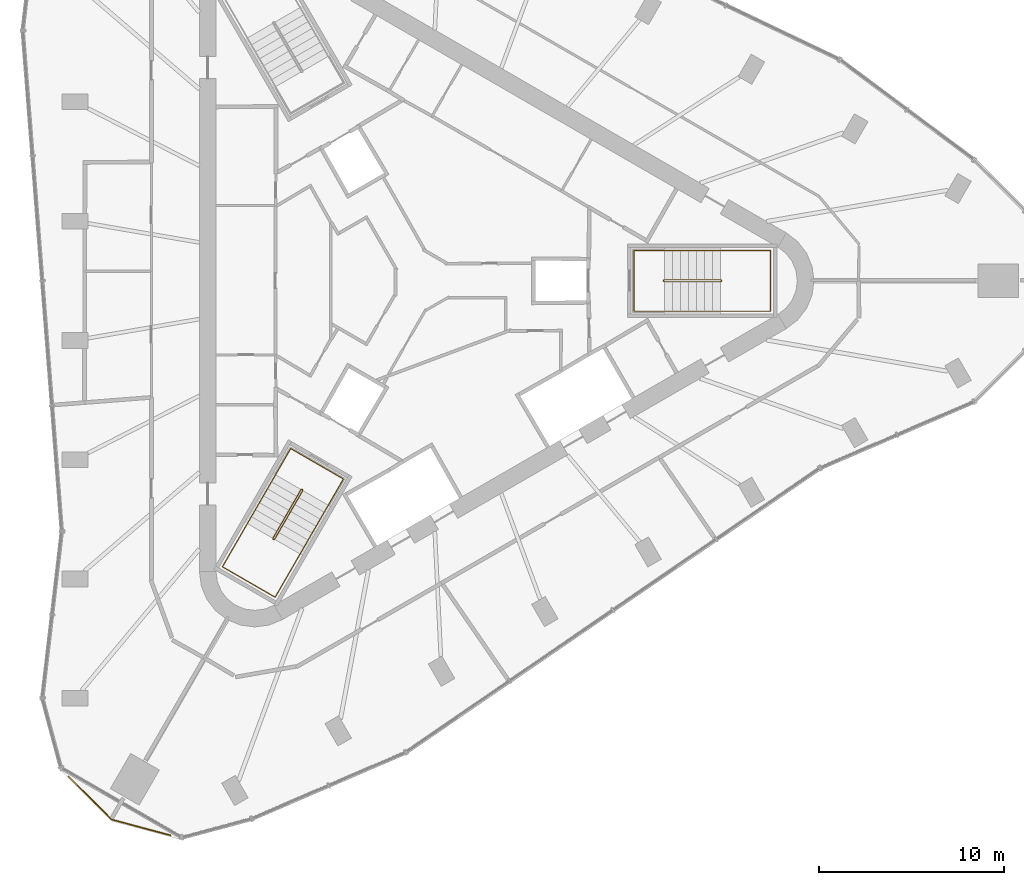
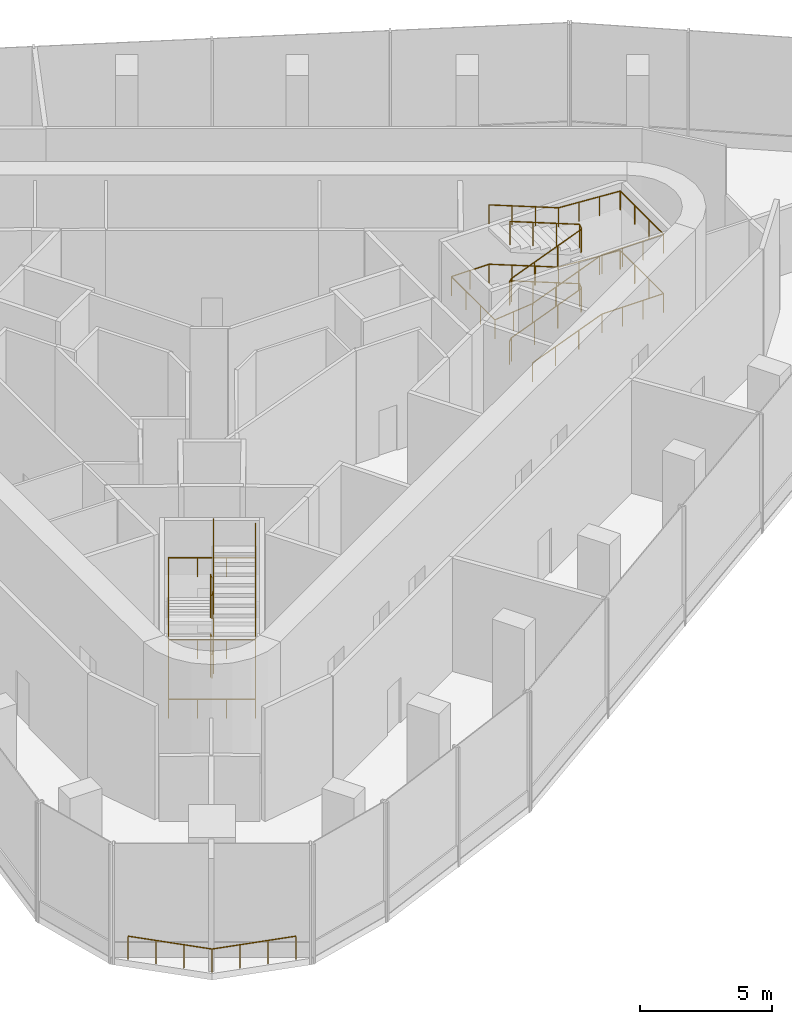
# One storey, part 12 of 13: 5 railings.
"""IFC4 building model written with IfcOpenShell, lengths in metres."""

from ifc_helpers import new_model, si_unit, direction, frame, origin, origin_2d, place, context, subcontext, project, spatial, circle, extrude, material, type_object, element, save


model = new_model("IFC4")

# Units and contexts
model_context = context("Model", 3, precision=1e-05, world=origin(), true_north=direction((0.0, 1.0)))
body_context = subcontext(model_context, "Body", "Model", "MODEL_VIEW")
ifc_project = project(units=[si_unit("LENGTHUNIT", "METRE"), si_unit("AREAUNIT", "SQUARE_METRE"), si_unit("VOLUMEUNIT", "CUBIC_METRE"), si_unit("PLANEANGLEUNIT", "RADIAN"), si_unit("MASSUNIT", "GRAM", prefix="KILO")], contexts=[model_context])

# Site, building, storey
site_placement = place(None, origin())
site = spatial("IfcSite", under=ifc_project, at=site_placement, CompositionType="ELEMENT")
building_placement = place(site_placement, origin())
building = spatial("IfcBuilding", under=site, at=building_placement, Name="Tanit Gate Tower", CompositionType="ELEMENT")
storey_placement = place(building_placement, frame((0.0, 0.0, 404.800048828125)))
storey = spatial("IfcBuildingStorey", under=building, at=storey_placement, Name="L92", CompositionType="ELEMENT", Elevation=404.800048828125)

# Railings
ifc_material_1 = material(Name="Stainless steel", Category="steel")
railing_type_1 = type_object("IfcRailingType", Name="Guard 1100 stainless steel balustrade", PredefinedType="GUARDRAIL", material=ifc_material_1)
railing_1_placement = place(storey_placement, frame((-13.66552734375, -30.05126953125, 0.0)))
element("IfcRailing", 1, at=railing_1_placement, inside=storey, type_object=railing_type_1, Name="Corner ledge guard L92 1", PredefinedType="GUARDRAIL", context=body_context, shape_type="SweptSolid", body=[
    extrude(circle(Radius=0.02392578125, at=origin_2d()), frame((0.0, 0.0, 1.076171875), z_axis=(-0.965927598952, 0.258812429344, 0.0), x_axis=(-0.258812429344, -0.965927598952, 0.0)), (0.0, 0.0, 1.0), 3.303466796875),
    extrude(circle(Radius=0.02392578125, at=origin_2d()), frame((-3.19091796875, 0.85498046875, 1.076171875), z_axis=(-0.707106781187, 0.707106781187, 0.0), x_axis=(-0.707106781187, -0.707106781187, 0.0)), (0.0, 0.0, 1.0), 3.303466796875),
    extrude(circle(Radius=0.02099609375, at=origin_2d()), origin(), (0.0, 0.0, 1.0), 1.052001953125),
    extrude(circle(Radius=0.02099609375, at=origin_2d()), frame((-1.063720703125, 0.284912109375, 0.0)), (0.0, 0.0, 1.0), 1.052001953125),
    extrude(circle(Radius=0.02099609375, at=origin_2d()), frame((-2.127197265625, 0.570068359375, 0.0)), (0.0, 0.0, 1.0), 1.052001953125),
    extrude(circle(Radius=0.02099609375, at=origin_2d()), frame((-3.19091796875, 0.85498046875, 0.0)), (0.0, 0.0, 1.0), 1.052001953125),
    extrude(circle(Radius=0.02099609375, at=origin_2d()), frame((-3.969482421875, 1.633544921875, 0.0)), (0.0, 0.0, 1.0), 1.052001953125),
    extrude(circle(Radius=0.02099609375, at=origin_2d()), frame((-4.748291015625, 2.412353515625, 0.0)), (0.0, 0.0, 1.0), 1.052001953125),
    extrude(circle(Radius=0.02099609375, at=origin_2d()), frame((-5.52685546875, 3.19091796875, 0.0)), (0.0, 0.0, 1.0), 1.052001953125),
])
ifc_material_2 = material(Name="Stainless steel balustrade", Category="steel")
railing_type_2 = type_object("IfcRailingType", Name="INT-STAIR-GUARD", PredefinedType="GUARDRAIL", material=ifc_material_2)
railing_2_placement = place(storey_placement, frame((13.044921875, 0.0048828125, 0.0)))
element("IfcRailing", 2, at=railing_2_placement, inside=storey, type_object=railing_type_2, Name="L92 S1 stair guard 1", PredefinedType="GUARDRAIL", context=body_context, shape_type="SweptSolid", body=[
    extrude(circle(Radius=0.02392578125, at=origin_2d()), frame((0.0, 0.0, 1.076171875), z_axis=(0.0, -1.0, 0.0), x_axis=(1.0, 0.0, 0.0)), (0.0, 0.0, 1.0), 0.009765625),
    extrude(circle(Radius=0.02392578125, at=origin_2d()), frame((0.0, -0.009765625, 1.076171875), z_axis=(0.269255725606, -0.269255725606, 0.92466356501), x_axis=(0.707106781187, 0.707106781187, 0.0)), (0.0, 0.0, 1.0), 0.185791015625),
    extrude(circle(Radius=0.02392578125, at=origin_2d()), frame((0.050048828125, -0.059814453125, 1.248046875), z_axis=(0.930282949324, 0.0, 0.366842792212), x_axis=(0.0, 1.0, 0.0)), (0.0, 0.0, 1.0), 3.27978515625),
    extrude(circle(Radius=0.02392578125, at=origin_2d()), frame((3.10107421875, -0.059814453125, 2.451171875), z_axis=(0.707106781187, 0.707106781187, 0.0), x_axis=(-0.707106781187, 0.707106781187, 0.0)), (0.0, 0.0, 1.0), 0.07080078125),
    extrude(circle(Radius=0.02392578125, at=origin_2d()), frame((3.151123046875, -0.009765625, 2.451171875), z_axis=(0.0, 1.0, 0.0), x_axis=(-1.0, 0.0, 0.0)), (0.0, 0.0, 1.0), 0.009765625),
    extrude(circle(Radius=0.02392578125, at=origin_2d()), frame((3.151123046875, 0.0, 2.451171875), z_axis=(-0.269255725606, 0.269255725606, 0.92466356501), x_axis=(-0.707106781187, -0.707106781187, 0.0)), (0.0, 0.0, 1.0), 0.185791015625),
    extrude(circle(Radius=0.02392578125, at=origin_2d()), frame((3.10107421875, 0.050048828125, 2.623046875), z_axis=(-0.930282949324, 0.0, 0.366842792212), x_axis=(0.0, -1.0, 0.0)), (0.0, 0.0, 1.0), 3.27978515625),
    extrude(circle(Radius=0.02392578125, at=origin_2d()), frame((0.050048828125, 0.050048828125, 3.826171875), z_axis=(-0.707106781187, -0.707106781187, 0.0), x_axis=(0.707106781187, -0.707106781187, 0.0)), (0.0, 0.0, 1.0), 0.07080078125),
    extrude(circle(Radius=0.02392578125, at=origin_2d()), frame((0.0, 0.0, 3.826171875), z_axis=(0.0, -1.0, 0.0), x_axis=(1.0, 0.0, 0.0)), (0.0, 0.0, 1.0), 0.009765625),
    extrude(circle(Radius=0.02392578125, at=origin_2d()), frame((0.0, -0.009765625, 3.826171875), z_axis=(0.269255725606, -0.269255725606, 0.92466356501), x_axis=(0.707106781187, 0.707106781187, 0.0)), (0.0, 0.0, 1.0), 0.185791015625),
    extrude(circle(Radius=0.02392578125, at=origin_2d()), frame((0.050048828125, -0.059814453125, 3.998046875), z_axis=(0.930282949324, 0.0, 0.366842792212), x_axis=(0.0, 1.0, 0.0)), (0.0, 0.0, 1.0), 3.27978515625),
    extrude(circle(Radius=0.02392578125, at=origin_2d()), frame((3.10107421875, -0.059814453125, 5.201171875), z_axis=(0.707106781187, 0.707106781187, 0.0), x_axis=(-0.707106781187, 0.707106781187, 0.0)), (0.0, 0.0, 1.0), 0.07080078125),
    extrude(circle(Radius=0.02392578125, at=origin_2d()), frame((3.151123046875, -0.009765625, 5.201171875), z_axis=(0.0, 1.0, 0.0), x_axis=(-1.0, 0.0, 0.0)), (0.0, 0.0, 1.0), 0.009765625),
    extrude(circle(Radius=0.02392578125, at=origin_2d()), frame((3.151123046875, 0.0, 5.201171875), z_axis=(-0.269255725606, 0.269255725606, 0.92466356501), x_axis=(-0.707106781187, -0.707106781187, 0.0)), (0.0, 0.0, 1.0), 0.185791015625),
    extrude(circle(Radius=0.02392578125, at=origin_2d()), frame((3.10107421875, 0.050048828125, 5.373046875), z_axis=(-0.930282949324, 0.0, 0.366842792212), x_axis=(0.0, -1.0, 0.0)), (0.0, 0.0, 1.0), 3.27978515625),
    extrude(circle(Radius=0.02099609375, at=origin_2d()), origin(), (0.0, 0.0, 1.0), 1.052001953125),
    extrude(circle(Radius=0.02099609375, at=origin_2d()), frame((0.0, -0.009765625, 0.0)), (0.0, 0.0, 1.0), 1.052001953125),
    extrude(circle(Radius=0.02099609375, at=origin_2d()), frame((0.050048828125, -0.059814453125, 0.171875)), (0.0, 0.0, 1.0), 1.052001953125),
    extrude(circle(Radius=0.02099609375, at=origin_2d()), frame((1.067138671875, -0.059814453125, 0.572998046875)), (0.0, 0.0, 1.0), 1.052001953125),
    extrude(circle(Radius=0.02099609375, at=origin_2d()), frame((2.083984375, -0.059814453125, 0.973876953125)), (0.0, 0.0, 1.0), 1.052001953125),
    extrude(circle(Radius=0.02099609375, at=origin_2d()), frame((3.10107421875, -0.059814453125, 1.375)), (0.0, 0.0, 1.0), 1.052001953125),
    extrude(circle(Radius=0.02099609375, at=origin_2d()), frame((3.151123046875, -0.009765625, 1.375)), (0.0, 0.0, 1.0), 1.052001953125),
    extrude(circle(Radius=0.02099609375, at=origin_2d()), frame((3.151123046875, 0.0, 1.375)), (0.0, 0.0, 1.0), 1.052001953125),
    extrude(circle(Radius=0.02099609375, at=origin_2d()), frame((3.10107421875, 0.050048828125, 1.546875)), (0.0, 0.0, 1.0), 1.052001953125),
    extrude(circle(Radius=0.02099609375, at=origin_2d()), frame((2.083984375, 0.050048828125, 1.947998046875)), (0.0, 0.0, 1.0), 1.052001953125),
    extrude(circle(Radius=0.02099609375, at=origin_2d()), frame((1.067138671875, 0.050048828125, 2.348876953125)), (0.0, 0.0, 1.0), 1.052001953125),
    extrude(circle(Radius=0.02099609375, at=origin_2d()), frame((0.050048828125, 0.050048828125, 2.75)), (0.0, 0.0, 1.0), 1.052001953125),
    extrude(circle(Radius=0.02099609375, at=origin_2d()), frame((0.0, 0.0, 2.75)), (0.0, 0.0, 1.0), 1.052001953125),
    extrude(circle(Radius=0.02099609375, at=origin_2d()), frame((0.0, -0.009765625, 2.75)), (0.0, 0.0, 1.0), 1.052001953125),
    extrude(circle(Radius=0.02099609375, at=origin_2d()), frame((0.050048828125, -0.059814453125, 2.921875)), (0.0, 0.0, 1.0), 1.052001953125),
    extrude(circle(Radius=0.02099609375, at=origin_2d()), frame((1.067138671875, -0.059814453125, 3.322998046875)), (0.0, 0.0, 1.0), 1.052001953125),
    extrude(circle(Radius=0.02099609375, at=origin_2d()), frame((2.083984375, -0.059814453125, 3.723876953125)), (0.0, 0.0, 1.0), 1.052001953125),
    extrude(circle(Radius=0.02099609375, at=origin_2d()), frame((3.10107421875, -0.059814453125, 4.125)), (0.0, 0.0, 1.0), 1.052001953125),
    extrude(circle(Radius=0.02099609375, at=origin_2d()), frame((3.151123046875, -0.009765625, 4.125)), (0.0, 0.0, 1.0), 1.052001953125),
    extrude(circle(Radius=0.02099609375, at=origin_2d()), frame((3.151123046875, 0.0, 4.125)), (0.0, 0.0, 1.0), 1.052001953125),
    extrude(circle(Radius=0.02099609375, at=origin_2d()), frame((3.10107421875, 0.050048828125, 4.296875)), (0.0, 0.0, 1.0), 1.052001953125),
    extrude(circle(Radius=0.02099609375, at=origin_2d()), frame((2.083984375, 0.050048828125, 4.697998046875)), (0.0, 0.0, 1.0), 1.052001953125),
    extrude(circle(Radius=0.02099609375, at=origin_2d()), frame((1.067138671875, 0.050048828125, 5.098876953125)), (0.0, 0.0, 1.0), 1.052001953125),
    extrude(circle(Radius=0.02099609375, at=origin_2d()), frame((0.050048828125, 0.050048828125, 5.5)), (0.0, 0.0, 1.0), 1.052001953125),
])
railing_3_placement = place(storey_placement, frame((-6.51806640625, -11.2998046875, 0.0)))
element("IfcRailing", 3, at=railing_3_placement, inside=storey, type_object=railing_type_2, Name="L92 S3 stair guard 1", PredefinedType="GUARDRAIL", context=body_context, shape_type="SweptSolid", body=[
    extrude(circle(Radius=0.02392578125, at=origin_2d()), frame((0.0, 0.0, 1.076171875), z_axis=(-0.874157276122, 0.485642931179, 0.0), x_axis=(-0.485642931179, -0.874157276122, 0.0)), (0.0, 0.0, 1.0), 0.010009765625),
    extrude(circle(Radius=0.02392578125, at=origin_2d()), frame((-0.0087890625, 0.0048828125, 1.076171875), z_axis=(-0.367819126704, -0.097209340629, 0.924802375713), x_axis=(0.255512919477, -0.966805641264, 0.0)), (0.0, 0.0, 1.0), 0.185791015625),
    extrude(circle(Radius=0.02392578125, at=origin_2d()), frame((-0.0771484375, -0.01318359375, 1.248046875), z_axis=(-0.465104481216, -0.805669942413, 0.3668429711), x_axis=(0.866048339477, -0.499960272111, 0.0)), (0.0, 0.0, 1.0), 3.27978515625),
    extrude(circle(Radius=0.02392578125, at=origin_2d()), frame((-1.6025390625, -2.655517578125, 2.451171875), z_axis=(0.258736085224, -0.965948051503, 0.0), x_axis=(0.965948051503, 0.258736085224, 0.0)), (0.0, 0.0, 1.0), 0.07080078125),
    extrude(circle(Radius=0.02392578125, at=origin_2d()), frame((-1.584228515625, -2.723876953125, 2.451171875), z_axis=(0.868243142124, -0.496138938357, 0.0), x_axis=(0.496138938357, 0.868243142124, 0.0)), (0.0, 0.0, 1.0), 0.009765625),
    extrude(circle(Radius=0.02392578125, at=origin_2d()), frame((-1.57568359375, -2.728759765625, 2.451171875), z_axis=(0.367771848671, 0.098510316608, 0.924683505231), x_axis=(-0.258736085224, 0.965948051503, 0.0)), (0.0, 0.0, 1.0), 0.185791015625),
    extrude(circle(Radius=0.02392578125, at=origin_2d()), frame((-1.50732421875, -2.71044921875, 2.623046875), z_axis=(0.465190712783, 0.805615921545, 0.366852269578), x_axis=(-0.865993683553, 0.500054937028, 0.0)), (0.0, 0.0, 1.0), 3.279541015625),
    extrude(circle(Radius=0.02392578125, at=origin_2d()), frame((0.018310546875, -0.068359375, 3.826171875), z_axis=(-0.258736085224, 0.965948051503, 0.0), x_axis=(-0.965948051503, -0.258736085224, 0.0)), (0.0, 0.0, 1.0), 0.07080078125),
    extrude(circle(Radius=0.02392578125, at=origin_2d()), frame((0.0, 0.0, 3.826171875), z_axis=(-0.874157276122, 0.485642931179, 0.0), x_axis=(-0.485642931179, -0.874157276122, 0.0)), (0.0, 0.0, 1.0), 0.010009765625),
    extrude(circle(Radius=0.02392578125, at=origin_2d()), frame((-0.0087890625, 0.0048828125, 3.826171875), z_axis=(-0.367819126704, -0.097209340629, 0.924802375713), x_axis=(0.255512919477, -0.966805641264, 0.0)), (0.0, 0.0, 1.0), 0.185791015625),
    extrude(circle(Radius=0.02392578125, at=origin_2d()), frame((-0.0771484375, -0.01318359375, 3.998046875), z_axis=(-0.465104481216, -0.805669942413, 0.3668429711), x_axis=(0.866048339477, -0.499960272111, 0.0)), (0.0, 0.0, 1.0), 3.27978515625),
    extrude(circle(Radius=0.02392578125, at=origin_2d()), frame((-1.6025390625, -2.655517578125, 5.201171875), z_axis=(0.258736085224, -0.965948051503, 0.0), x_axis=(0.965948051503, 0.258736085224, 0.0)), (0.0, 0.0, 1.0), 0.07080078125),
    extrude(circle(Radius=0.02392578125, at=origin_2d()), frame((-1.584228515625, -2.723876953125, 5.201171875), z_axis=(0.868243142124, -0.496138938357, 0.0), x_axis=(0.496138938357, 0.868243142124, 0.0)), (0.0, 0.0, 1.0), 0.009765625),
    extrude(circle(Radius=0.02392578125, at=origin_2d()), frame((-1.57568359375, -2.728759765625, 5.201171875), z_axis=(0.367771848671, 0.098510316608, 0.924683505231), x_axis=(-0.258736085224, 0.965948051503, 0.0)), (0.0, 0.0, 1.0), 0.185791015625),
    extrude(circle(Radius=0.02392578125, at=origin_2d()), frame((-1.50732421875, -2.71044921875, 5.373046875), z_axis=(0.465190712783, 0.805615921545, 0.366852269578), x_axis=(-0.865993683553, 0.500054937028, 0.0)), (0.0, 0.0, 1.0), 3.279541015625),
    extrude(circle(Radius=0.02099609375, at=origin_2d()), origin(), (0.0, 0.0, 1.0), 1.052001953125),
    extrude(circle(Radius=0.02099609375, at=origin_2d()), frame((-0.0087890625, 0.0048828125, 0.0)), (0.0, 0.0, 1.0), 1.052001953125),
    extrude(circle(Radius=0.02099609375, at=origin_2d()), frame((-0.0771484375, -0.01318359375, 0.171875)), (0.0, 0.0, 1.0), 1.052001953125),
    extrude(circle(Radius=0.02099609375, at=origin_2d()), frame((-0.585693359375, -0.89404296875, 0.572998046875)), (0.0, 0.0, 1.0), 1.052001953125),
    extrude(circle(Radius=0.02099609375, at=origin_2d()), frame((-1.093994140625, -1.774658203125, 0.973876953125)), (0.0, 0.0, 1.0), 1.052001953125),
    extrude(circle(Radius=0.02099609375, at=origin_2d()), frame((-1.6025390625, -2.655517578125, 1.375)), (0.0, 0.0, 1.0), 1.052001953125),
    extrude(circle(Radius=0.02099609375, at=origin_2d()), frame((-1.584228515625, -2.723876953125, 1.375)), (0.0, 0.0, 1.0), 1.052001953125),
    extrude(circle(Radius=0.02099609375, at=origin_2d()), frame((-1.57568359375, -2.728759765625, 1.375)), (0.0, 0.0, 1.0), 1.052001953125),
    extrude(circle(Radius=0.02099609375, at=origin_2d()), frame((-1.50732421875, -2.71044921875, 1.546875)), (0.0, 0.0, 1.0), 1.052001953125),
    extrude(circle(Radius=0.02099609375, at=origin_2d()), frame((-0.998779296875, -1.829833984375, 1.947998046875)), (0.0, 0.0, 1.0), 1.052001953125),
    extrude(circle(Radius=0.02099609375, at=origin_2d()), frame((-0.490234375, -0.948974609375, 2.348876953125)), (0.0, 0.0, 1.0), 1.052001953125),
    extrude(circle(Radius=0.02099609375, at=origin_2d()), frame((0.018310546875, -0.068359375, 2.75)), (0.0, 0.0, 1.0), 1.052001953125),
    extrude(circle(Radius=0.02099609375, at=origin_2d()), frame((0.0, 0.0, 2.75)), (0.0, 0.0, 1.0), 1.052001953125),
    extrude(circle(Radius=0.02099609375, at=origin_2d()), frame((-0.0087890625, 0.0048828125, 2.75)), (0.0, 0.0, 1.0), 1.052001953125),
    extrude(circle(Radius=0.02099609375, at=origin_2d()), frame((-0.0771484375, -0.01318359375, 2.921875)), (0.0, 0.0, 1.0), 1.052001953125),
    extrude(circle(Radius=0.02099609375, at=origin_2d()), frame((-0.585693359375, -0.89404296875, 3.322998046875)), (0.0, 0.0, 1.0), 1.052001953125),
    extrude(circle(Radius=0.02099609375, at=origin_2d()), frame((-1.093994140625, -1.774658203125, 3.723876953125)), (0.0, 0.0, 1.0), 1.052001953125),
    extrude(circle(Radius=0.02099609375, at=origin_2d()), frame((-1.6025390625, -2.655517578125, 4.125)), (0.0, 0.0, 1.0), 1.052001953125),
    extrude(circle(Radius=0.02099609375, at=origin_2d()), frame((-1.584228515625, -2.723876953125, 4.125)), (0.0, 0.0, 1.0), 1.052001953125),
    extrude(circle(Radius=0.02099609375, at=origin_2d()), frame((-1.57568359375, -2.728759765625, 4.125)), (0.0, 0.0, 1.0), 1.052001953125),
    extrude(circle(Radius=0.02099609375, at=origin_2d()), frame((-1.50732421875, -2.71044921875, 4.296875)), (0.0, 0.0, 1.0), 1.052001953125),
    extrude(circle(Radius=0.02099609375, at=origin_2d()), frame((-0.998779296875, -1.829833984375, 4.697998046875)), (0.0, 0.0, 1.0), 1.052001953125),
    extrude(circle(Radius=0.02099609375, at=origin_2d()), frame((-0.490234375, -0.948974609375, 5.098876953125)), (0.0, 0.0, 1.0), 1.052001953125),
    extrude(circle(Radius=0.02099609375, at=origin_2d()), frame((0.018310546875, -0.068359375, 5.5)), (0.0, 0.0, 1.0), 1.052001953125),
])
ifc_material_3 = material(Name="Stainless steel handrail", Category="steel")
railing_type_3 = type_object("IfcRailingType", Name="INT-STAIR-HANDRAIL", PredefinedType="HANDRAIL", material=ifc_material_3)
railing_4_placement = place(storey_placement, frame((13.094970703125, -1.64990234375, 0.171875)))
element("IfcRailing", 4, at=railing_4_placement, inside=storey, type_object=railing_type_3, Name="L92 S1 stair handrail 1", PredefinedType="HANDRAIL", context=body_context, shape_type="SweptSolid", body=[
    extrude(circle(Radius=0.02392578125, at=origin_2d()), frame((0.0, 0.0, 0.8759765625), z_axis=(0.930282949324, 0.0, 0.366842792212), x_axis=(0.0, 1.0, 0.0)), (0.0, 0.0, 1.0), 3.27978515625),
    extrude(circle(Radius=0.02392578125, at=origin_2d()), frame((3.051025390625, 0.0, 2.0791015625), z_axis=(1.0, 0.0, 0.0), x_axis=(0.0, 1.0, 0.0)), (0.0, 0.0, 1.0), 2.7041015625),
    extrude(circle(Radius=0.02392578125, at=origin_2d()), frame((5.755126953125, 0.0, 2.0791015625), z_axis=(0.0, 1.0, 0.0), x_axis=(-1.0, 0.0, 0.0)), (0.0, 0.0, 1.0), 3.2998046875),
    extrude(circle(Radius=0.02392578125, at=origin_2d()), frame((5.755126953125, 3.2998046875, 2.0791015625), z_axis=(-0.99798610904, 0.0, 0.063432847667), x_axis=(0.0, -1.0, 0.0)), (0.0, 0.0, 1.0), 2.70947265625),
    extrude(circle(Radius=0.02392578125, at=origin_2d()), frame((3.051025390625, 3.2998046875, 2.2509765625), z_axis=(-0.930282949324, 0.0, 0.366842792212), x_axis=(0.0, -1.0, 0.0)), (0.0, 0.0, 1.0), 3.27978515625),
    extrude(circle(Radius=0.02392578125, at=origin_2d()), frame((0.0, 3.2998046875, 3.4541015625), z_axis=(-1.0, 0.0, 0.0), x_axis=(0.0, -1.0, 0.0)), (0.0, 0.0, 1.0), 1.64501953125),
    extrude(circle(Radius=0.02392578125, at=origin_2d()), frame((-1.64501953125, 3.2998046875, 3.4541015625), z_axis=(0.0, -1.0, 0.0), x_axis=(1.0, 0.0, 0.0)), (0.0, 0.0, 1.0), 3.2998046875),
    extrude(circle(Radius=0.02392578125, at=origin_2d()), frame((-1.64501953125, 0.0, 3.4541015625), z_axis=(0.994586037459, 0.0, 0.103916380287), x_axis=(0.0, 1.0, 0.0)), (0.0, 0.0, 1.0), 1.654052734375),
    extrude(circle(Radius=0.02392578125, at=origin_2d()), frame((0.0, 0.0, 3.6259765625), z_axis=(0.930282949324, 0.0, 0.366842792212), x_axis=(0.0, 1.0, 0.0)), (0.0, 0.0, 1.0), 3.27978515625),
    extrude(circle(Radius=0.02392578125, at=origin_2d()), frame((3.051025390625, 0.0, 4.8291015625), z_axis=(1.0, 0.0, 0.0), x_axis=(0.0, 1.0, 0.0)), (0.0, 0.0, 1.0), 2.7041015625),
    extrude(circle(Radius=0.02392578125, at=origin_2d()), frame((5.755126953125, 0.0, 4.8291015625), z_axis=(0.0, 1.0, 0.0), x_axis=(-1.0, 0.0, 0.0)), (0.0, 0.0, 1.0), 3.2998046875),
    extrude(circle(Radius=0.02392578125, at=origin_2d()), frame((5.755126953125, 3.2998046875, 4.8291015625), z_axis=(-0.99798610904, 0.0, 0.063432847667), x_axis=(0.0, -1.0, 0.0)), (0.0, 0.0, 1.0), 2.70947265625),
    extrude(circle(Radius=0.02392578125, at=origin_2d()), frame((3.051025390625, 3.2998046875, 5.0009765625), z_axis=(-0.930282949324, 0.0, 0.366842792212), x_axis=(0.0, -1.0, 0.0)), (0.0, 0.0, 1.0), 3.27978515625),
    extrude(circle(Radius=0.02099609375, at=origin_2d()), origin(), (0.0, 0.0, 1.0), 0.851806640625),
    extrude(circle(Radius=0.02099609375, at=origin_2d()), frame((1.01708984375, 0.0, 0.401123046875)), (0.0, 0.0, 1.0), 0.851806640625),
    extrude(circle(Radius=0.02099609375, at=origin_2d()), frame((2.033935546875, 0.0, 0.802001953125)), (0.0, 0.0, 1.0), 0.851806640625),
    extrude(circle(Radius=0.02099609375, at=origin_2d()), frame((3.051025390625, 0.0, 1.203125)), (0.0, 0.0, 1.0), 0.851806640625),
    extrude(circle(Radius=0.02099609375, at=origin_2d()), frame((3.952392578125, 0.0, 1.203125)), (0.0, 0.0, 1.0), 0.851806640625),
    extrude(circle(Radius=0.02099609375, at=origin_2d()), frame((4.853759765625, 0.0, 1.203125)), (0.0, 0.0, 1.0), 0.851806640625),
    extrude(circle(Radius=0.02099609375, at=origin_2d()), frame((5.755126953125, 0.0, 1.203125)), (0.0, 0.0, 1.0), 0.851806640625),
    extrude(circle(Radius=0.02099609375, at=origin_2d()), frame((5.755126953125, 1.099853515625, 1.203125)), (0.0, 0.0, 1.0), 0.851806640625),
    extrude(circle(Radius=0.02099609375, at=origin_2d()), frame((5.755126953125, 2.199951171875, 1.203125)), (0.0, 0.0, 1.0), 0.851806640625),
    extrude(circle(Radius=0.02099609375, at=origin_2d()), frame((5.755126953125, 3.2998046875, 1.203125)), (0.0, 0.0, 1.0), 0.851806640625),
    extrude(circle(Radius=0.02099609375, at=origin_2d()), frame((4.853759765625, 3.2998046875, 1.260498046875)), (0.0, 0.0, 1.0), 0.851806640625),
    extrude(circle(Radius=0.02099609375, at=origin_2d()), frame((3.952392578125, 3.2998046875, 1.317626953125)), (0.0, 0.0, 1.0), 0.851806640625),
    extrude(circle(Radius=0.02099609375, at=origin_2d()), frame((3.051025390625, 3.2998046875, 1.375)), (0.0, 0.0, 1.0), 0.851806640625),
    extrude(circle(Radius=0.02099609375, at=origin_2d()), frame((2.033935546875, 3.2998046875, 1.776123046875)), (0.0, 0.0, 1.0), 0.851806640625),
    extrude(circle(Radius=0.02099609375, at=origin_2d()), frame((1.01708984375, 3.2998046875, 2.177001953125)), (0.0, 0.0, 1.0), 0.851806640625),
    extrude(circle(Radius=0.02099609375, at=origin_2d()), frame((0.0, 3.2998046875, 2.578125)), (0.0, 0.0, 1.0), 0.851806640625),
    extrude(circle(Radius=0.02099609375, at=origin_2d()), frame((-0.822509765625, 3.2998046875, 2.578125)), (0.0, 0.0, 1.0), 0.851806640625),
    extrude(circle(Radius=0.02099609375, at=origin_2d()), frame((-1.64501953125, 3.2998046875, 2.578125)), (0.0, 0.0, 1.0), 0.851806640625),
    extrude(circle(Radius=0.02099609375, at=origin_2d()), frame((-1.64501953125, 2.199951171875, 2.578125)), (0.0, 0.0, 1.0), 0.851806640625),
    extrude(circle(Radius=0.02099609375, at=origin_2d()), frame((-1.64501953125, 1.099853515625, 2.578125)), (0.0, 0.0, 1.0), 0.851806640625),
    extrude(circle(Radius=0.02099609375, at=origin_2d()), frame((-1.64501953125, 0.0, 2.578125)), (0.0, 0.0, 1.0), 0.851806640625),
    extrude(circle(Radius=0.02099609375, at=origin_2d()), frame((-0.822509765625, 0.0, 2.6640625)), (0.0, 0.0, 1.0), 0.851806640625),
    extrude(circle(Radius=0.02099609375, at=origin_2d()), frame((0.0, 0.0, 2.75)), (0.0, 0.0, 1.0), 0.851806640625),
    extrude(circle(Radius=0.02099609375, at=origin_2d()), frame((1.01708984375, 0.0, 3.151123046875)), (0.0, 0.0, 1.0), 0.851806640625),
    extrude(circle(Radius=0.02099609375, at=origin_2d()), frame((2.033935546875, 0.0, 3.552001953125)), (0.0, 0.0, 1.0), 0.851806640625),
    extrude(circle(Radius=0.02099609375, at=origin_2d()), frame((3.051025390625, 0.0, 3.953125)), (0.0, 0.0, 1.0), 0.851806640625),
    extrude(circle(Radius=0.02099609375, at=origin_2d()), frame((3.952392578125, 0.0, 3.953125)), (0.0, 0.0, 1.0), 0.851806640625),
    extrude(circle(Radius=0.02099609375, at=origin_2d()), frame((4.853759765625, 0.0, 3.953125)), (0.0, 0.0, 1.0), 0.851806640625),
    extrude(circle(Radius=0.02099609375, at=origin_2d()), frame((5.755126953125, 0.0, 3.953125)), (0.0, 0.0, 1.0), 0.851806640625),
    extrude(circle(Radius=0.02099609375, at=origin_2d()), frame((5.755126953125, 1.099853515625, 3.953125)), (0.0, 0.0, 1.0), 0.851806640625),
    extrude(circle(Radius=0.02099609375, at=origin_2d()), frame((5.755126953125, 2.199951171875, 3.953125)), (0.0, 0.0, 1.0), 0.851806640625),
    extrude(circle(Radius=0.02099609375, at=origin_2d()), frame((5.755126953125, 3.2998046875, 3.953125)), (0.0, 0.0, 1.0), 0.851806640625),
    extrude(circle(Radius=0.02099609375, at=origin_2d()), frame((4.853759765625, 3.2998046875, 4.010498046875)), (0.0, 0.0, 1.0), 0.851806640625),
    extrude(circle(Radius=0.02099609375, at=origin_2d()), frame((3.952392578125, 3.2998046875, 4.067626953125)), (0.0, 0.0, 1.0), 0.851806640625),
    extrude(circle(Radius=0.02099609375, at=origin_2d()), frame((3.051025390625, 3.2998046875, 4.125)), (0.0, 0.0, 1.0), 0.851806640625),
    extrude(circle(Radius=0.02099609375, at=origin_2d()), frame((2.033935546875, 3.2998046875, 4.526123046875)), (0.0, 0.0, 1.0), 0.851806640625),
    extrude(circle(Radius=0.02099609375, at=origin_2d()), frame((1.01708984375, 3.2998046875, 4.927001953125)), (0.0, 0.0, 1.0), 0.851806640625),
    extrude(circle(Radius=0.02099609375, at=origin_2d()), frame((0.0, 3.2998046875, 5.328125)), (0.0, 0.0, 1.0), 0.851806640625),
])
railing_5_placement = place(storey_placement, frame((-7.9765625, -10.515625, 0.171875)))
element("IfcRailing", 5, at=railing_5_placement, inside=storey, type_object=railing_type_3, Name="L92 S3 stair handrail 1", PredefinedType="HANDRAIL", context=body_context, shape_type="SweptSolid", body=[
    extrude(circle(Radius=0.02392578125, at=origin_2d()), frame((0.0, 0.0, 0.8759765625), z_axis=(-0.465104481216, -0.805669942413, 0.3668429711), x_axis=(0.866048339477, -0.499960272111, 0.0)), (0.0, 0.0, 1.0), 3.27978515625),
    extrude(circle(Radius=0.02392578125, at=origin_2d()), frame((-1.525390625, -2.642333984375, 2.0791015625), z_axis=(-0.50004290449, -0.866000631449, 0.0), x_axis=(0.866000631449, -0.50004290449, 0.0)), (0.0, 0.0, 1.0), 2.703857421875),
    extrude(circle(Radius=0.02392578125, at=origin_2d()), frame((-2.87744140625, -4.98388671875, 2.0791015625), z_axis=(0.866008176907, -0.50002983664, 0.0), x_axis=(0.50002983664, 0.866008176907, 0.0)), (0.0, 0.0, 1.0), 3.300048828125),
    extrude(circle(Radius=0.02392578125, at=origin_2d()), frame((-0.01953125, -6.634033203125, 2.0791015625), z_axis=(0.498996838331, 0.864279103154, 0.063433328672), x_axis=(-0.866023205937, 0.500003806764, 0.0)), (0.0, 0.0, 1.0), 2.70947265625),
    extrude(circle(Radius=0.02392578125, at=origin_2d()), frame((1.33251953125, -4.292236328125, 2.2509765625), z_axis=(0.465104481216, 0.805669942413, 0.3668429711), x_axis=(-0.866048339477, 0.499960272111, 0.0)), (0.0, 0.0, 1.0), 3.27978515625),
    extrude(circle(Radius=0.02392578125, at=origin_2d()), frame((2.85791015625, -1.64990234375, 3.4541015625), z_axis=(0.50001794124, 0.866015045157, 0.0), x_axis=(-0.866015045157, 0.50001794124, 0.0)), (0.0, 0.0, 1.0), 1.64501953125),
    extrude(circle(Radius=0.02392578125, at=origin_2d()), frame((3.680419921875, -0.225341796875, 3.4541015625), z_axis=(-0.866040211805, 0.499974350878, 0.0), x_axis=(-0.499974350878, -0.866040211805, 0.0)), (0.0, 0.0, 1.0), 3.300048828125),
    extrude(circle(Radius=0.02392578125, at=origin_2d()), frame((0.822509765625, 1.424560546875, 3.4541015625), z_axis=(-0.497310670134, -0.861326138389, 0.103920068796), x_axis=(0.866015045157, -0.50001794124, 0.0)), (0.0, 0.0, 1.0), 1.65380859375),
    extrude(circle(Radius=0.02392578125, at=origin_2d()), frame((0.0, 0.0, 3.6259765625), z_axis=(-0.465104481216, -0.805669942413, 0.3668429711), x_axis=(0.866048339477, -0.499960272111, 0.0)), (0.0, 0.0, 1.0), 3.27978515625),
    extrude(circle(Radius=0.02392578125, at=origin_2d()), frame((-1.525390625, -2.642333984375, 4.8291015625), z_axis=(-0.50004290449, -0.866000631449, 0.0), x_axis=(0.866000631449, -0.50004290449, 0.0)), (0.0, 0.0, 1.0), 2.703857421875),
    extrude(circle(Radius=0.02392578125, at=origin_2d()), frame((-2.87744140625, -4.98388671875, 4.8291015625), z_axis=(0.866008176907, -0.50002983664, 0.0), x_axis=(0.50002983664, 0.866008176907, 0.0)), (0.0, 0.0, 1.0), 3.300048828125),
    extrude(circle(Radius=0.02392578125, at=origin_2d()), frame((-0.01953125, -6.634033203125, 4.8291015625), z_axis=(0.498996838331, 0.864279103154, 0.063433328672), x_axis=(-0.866023205937, 0.500003806764, 0.0)), (0.0, 0.0, 1.0), 2.70947265625),
    extrude(circle(Radius=0.02392578125, at=origin_2d()), frame((1.33251953125, -4.292236328125, 5.0009765625), z_axis=(0.465104481216, 0.805669942413, 0.3668429711), x_axis=(-0.866048339477, 0.499960272111, 0.0)), (0.0, 0.0, 1.0), 3.27978515625),
    extrude(circle(Radius=0.02099609375, at=origin_2d()), origin(), (0.0, 0.0, 1.0), 0.851806640625),
    extrude(circle(Radius=0.02099609375, at=origin_2d()), frame((-0.508544921875, -0.880859375, 0.401123046875)), (0.0, 0.0, 1.0), 0.851806640625),
    extrude(circle(Radius=0.02099609375, at=origin_2d()), frame((-1.016845703125, -1.761474609375, 0.802001953125)), (0.0, 0.0, 1.0), 0.851806640625),
    extrude(circle(Radius=0.02099609375, at=origin_2d()), frame((-1.525390625, -2.642333984375, 1.203125)), (0.0, 0.0, 1.0), 0.851806640625),
    extrude(circle(Radius=0.02099609375, at=origin_2d()), frame((-1.97607421875, -3.4228515625, 1.203125)), (0.0, 0.0, 1.0), 0.851806640625),
    extrude(circle(Radius=0.02099609375, at=origin_2d()), frame((-2.4267578125, -4.203369140625, 1.203125)), (0.0, 0.0, 1.0), 0.851806640625),
    extrude(circle(Radius=0.02099609375, at=origin_2d()), frame((-2.87744140625, -4.98388671875, 1.203125)), (0.0, 0.0, 1.0), 0.851806640625),
    extrude(circle(Radius=0.02099609375, at=origin_2d()), frame((-1.9248046875, -5.533935546875, 1.203125)), (0.0, 0.0, 1.0), 0.851806640625),
    extrude(circle(Radius=0.02099609375, at=origin_2d()), frame((-0.97216796875, -6.083984375, 1.203125)), (0.0, 0.0, 1.0), 0.851806640625),
    extrude(circle(Radius=0.02099609375, at=origin_2d()), frame((-0.01953125, -6.634033203125, 1.203125)), (0.0, 0.0, 1.0), 0.851806640625),
    extrude(circle(Radius=0.02099609375, at=origin_2d()), frame((0.43115234375, -5.853515625, 1.260498046875)), (0.0, 0.0, 1.0), 0.851806640625),
    extrude(circle(Radius=0.02099609375, at=origin_2d()), frame((0.8818359375, -5.07275390625, 1.317626953125)), (0.0, 0.0, 1.0), 0.851806640625),
    extrude(circle(Radius=0.02099609375, at=origin_2d()), frame((1.33251953125, -4.292236328125, 1.375)), (0.0, 0.0, 1.0), 0.851806640625),
    extrude(circle(Radius=0.02099609375, at=origin_2d()), frame((1.841064453125, -3.411376953125, 1.776123046875)), (0.0, 0.0, 1.0), 0.851806640625),
    extrude(circle(Radius=0.02099609375, at=origin_2d()), frame((2.349365234375, -2.53076171875, 2.177001953125)), (0.0, 0.0, 1.0), 0.851806640625),
    extrude(circle(Radius=0.02099609375, at=origin_2d()), frame((2.85791015625, -1.64990234375, 2.578125)), (0.0, 0.0, 1.0), 0.851806640625),
    extrude(circle(Radius=0.02099609375, at=origin_2d()), frame((3.26904296875, -0.9375, 2.578125)), (0.0, 0.0, 1.0), 0.851806640625),
    extrude(circle(Radius=0.02099609375, at=origin_2d()), frame((3.680419921875, -0.225341796875, 2.578125)), (0.0, 0.0, 1.0), 0.851806640625),
    extrude(circle(Radius=0.02099609375, at=origin_2d()), frame((2.727783203125, 0.32470703125, 2.578125)), (0.0, 0.0, 1.0), 0.851806640625),
    extrude(circle(Radius=0.02099609375, at=origin_2d()), frame((1.775146484375, 0.87451171875, 2.578125)), (0.0, 0.0, 1.0), 0.851806640625),
    extrude(circle(Radius=0.02099609375, at=origin_2d()), frame((0.822509765625, 1.424560546875, 2.578125)), (0.0, 0.0, 1.0), 0.851806640625),
    extrude(circle(Radius=0.02099609375, at=origin_2d()), frame((0.4111328125, 0.71240234375, 2.6640625)), (0.0, 0.0, 1.0), 0.851806640625),
    extrude(circle(Radius=0.02099609375, at=origin_2d()), frame((0.0, 0.0, 2.75)), (0.0, 0.0, 1.0), 0.851806640625),
    extrude(circle(Radius=0.02099609375, at=origin_2d()), frame((-0.508544921875, -0.880859375, 3.151123046875)), (0.0, 0.0, 1.0), 0.851806640625),
    extrude(circle(Radius=0.02099609375, at=origin_2d()), frame((-1.016845703125, -1.761474609375, 3.552001953125)), (0.0, 0.0, 1.0), 0.851806640625),
    extrude(circle(Radius=0.02099609375, at=origin_2d()), frame((-1.525390625, -2.642333984375, 3.953125)), (0.0, 0.0, 1.0), 0.851806640625),
    extrude(circle(Radius=0.02099609375, at=origin_2d()), frame((-1.97607421875, -3.4228515625, 3.953125)), (0.0, 0.0, 1.0), 0.851806640625),
    extrude(circle(Radius=0.02099609375, at=origin_2d()), frame((-2.4267578125, -4.203369140625, 3.953125)), (0.0, 0.0, 1.0), 0.851806640625),
    extrude(circle(Radius=0.02099609375, at=origin_2d()), frame((-2.87744140625, -4.98388671875, 3.953125)), (0.0, 0.0, 1.0), 0.851806640625),
    extrude(circle(Radius=0.02099609375, at=origin_2d()), frame((-1.9248046875, -5.533935546875, 3.953125)), (0.0, 0.0, 1.0), 0.851806640625),
    extrude(circle(Radius=0.02099609375, at=origin_2d()), frame((-0.97216796875, -6.083984375, 3.953125)), (0.0, 0.0, 1.0), 0.851806640625),
    extrude(circle(Radius=0.02099609375, at=origin_2d()), frame((-0.01953125, -6.634033203125, 3.953125)), (0.0, 0.0, 1.0), 0.851806640625),
    extrude(circle(Radius=0.02099609375, at=origin_2d()), frame((0.43115234375, -5.853515625, 4.010498046875)), (0.0, 0.0, 1.0), 0.851806640625),
    extrude(circle(Radius=0.02099609375, at=origin_2d()), frame((0.8818359375, -5.07275390625, 4.067626953125)), (0.0, 0.0, 1.0), 0.851806640625),
    extrude(circle(Radius=0.02099609375, at=origin_2d()), frame((1.33251953125, -4.292236328125, 4.125)), (0.0, 0.0, 1.0), 0.851806640625),
    extrude(circle(Radius=0.02099609375, at=origin_2d()), frame((1.841064453125, -3.411376953125, 4.526123046875)), (0.0, 0.0, 1.0), 0.851806640625),
    extrude(circle(Radius=0.02099609375, at=origin_2d()), frame((2.349365234375, -2.53076171875, 4.927001953125)), (0.0, 0.0, 1.0), 0.851806640625),
    extrude(circle(Radius=0.02099609375, at=origin_2d()), frame((2.85791015625, -1.64990234375, 5.328125)), (0.0, 0.0, 1.0), 0.851806640625),
])

save(model, "model.ifc")
